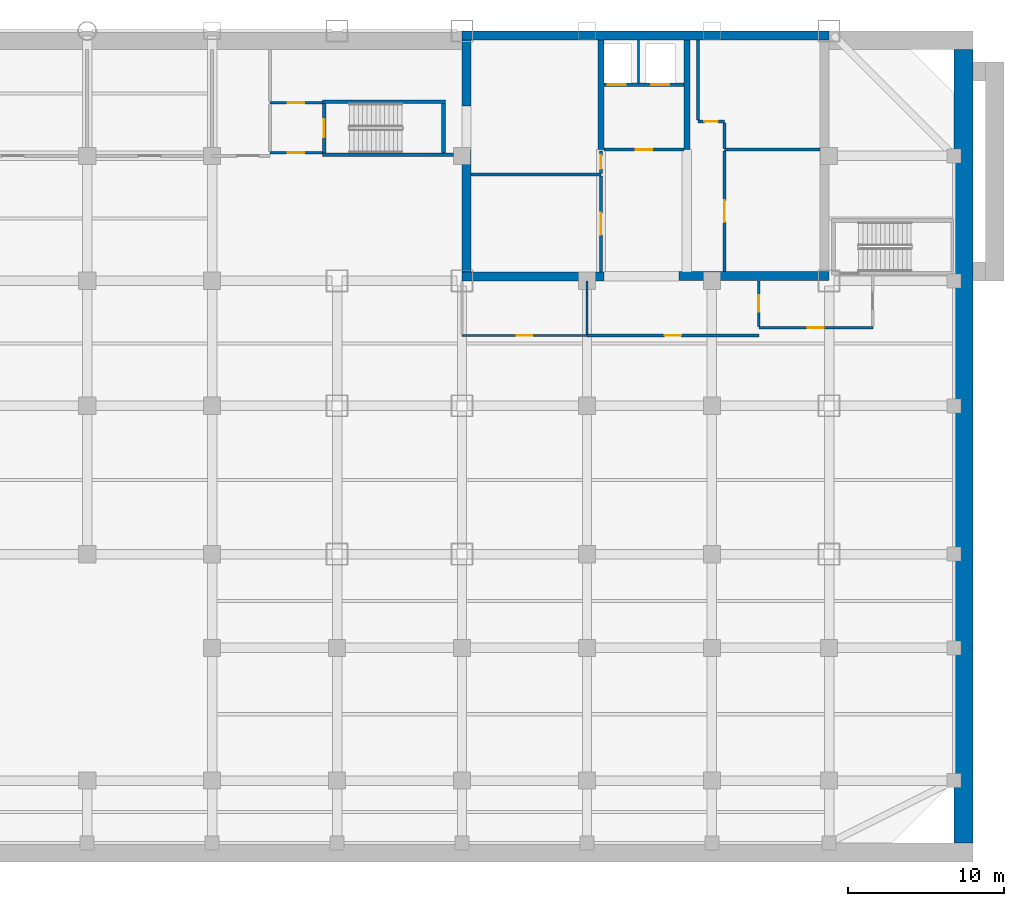
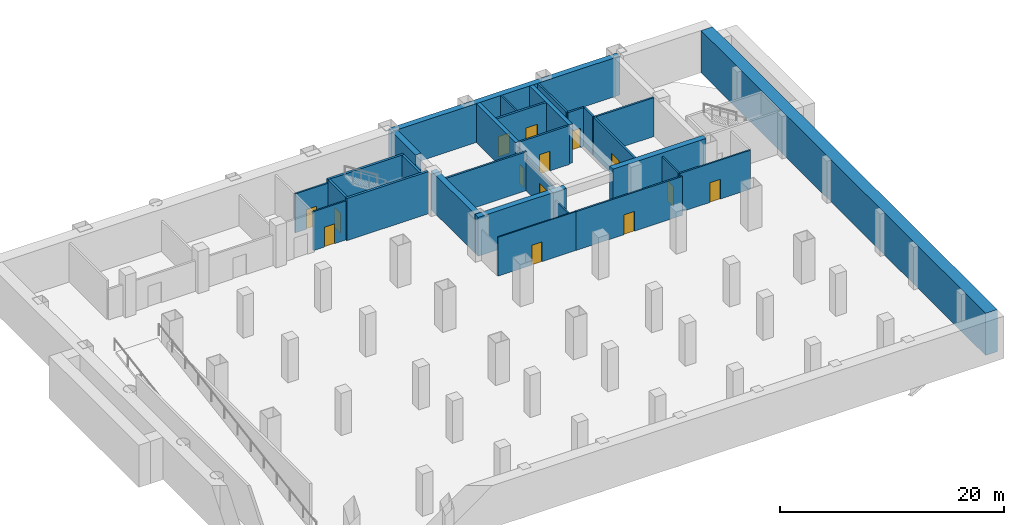
# One storey, part 4 of 8: 30 walls, 14 doors, 14 openings.
"""IFC4 building model written with IfcOpenShell, lengths in metres."""

from ifc_helpers import new_model, si_unit, direction, frame, frame_2d, origin, place, context, subcontext, project, spatial, rectangle, extrude, material, layer, layer_set, type_object, element, fill, save


model = new_model("IFC4")

# Units and contexts
model_context = context("Model", 3, precision=1e-05, world=origin(), true_north=direction((0.0, 1.0)))
body_context = subcontext(model_context, "Body", "Model", "MODEL_VIEW")
ifc_project = project(units=[si_unit("LENGTHUNIT", "METRE"), si_unit("AREAUNIT", "SQUARE_METRE"), si_unit("VOLUMEUNIT", "CUBIC_METRE"), si_unit("PLANEANGLEUNIT", "RADIAN"), si_unit("MASSUNIT", "GRAM", prefix="KILO")], contexts=[model_context])

# Site, building, storey
site_placement = place(None, origin())
site = spatial("IfcSite", under=ifc_project, at=site_placement, CompositionType="ELEMENT")
building_placement = place(site_placement, origin())
building = spatial("IfcBuilding", under=site, at=building_placement, Name="Qianrong Seaharbour Tower", CompositionType="ELEMENT")
storey_placement = place(building_placement, frame((0.0, 0.0, -9.199951171875)))
storey = spatial("IfcBuildingStorey", under=building, at=storey_placement, Name="B02", CompositionType="ELEMENT", Elevation=-9.199951171875)

# Walls
ifc_material_1 = material(Name="Concrete C70/85", Category="concrete")
ifc_layer_1 = layer(ifc_material_1, 0.580078125)
ifc_layer_set_1 = layer_set([ifc_layer_1], Name="Concrete C70/85")
wall_type_1 = type_object("IfcWallType", Name="WALL-CORE-580", PredefinedType="SHEAR", material=ifc_layer_set_1)
wall_1_placement = place(storey_placement, frame((40.5, 51.7099609375, 0.0), z_axis=(0.0, 0.0, 1.0), x_axis=(1.0, 0.0, 0.0)))
element("IfcWall", 1, at=wall_1_placement, inside=storey, type_object=wall_type_1, Name="B02 North Core Shear Wall", PredefinedType="SHEAR", context=body_context, shape_type="SweptSolid", body=[
    extrude(rectangle(XDim=23.5, YDim=0.580078125, at=frame_2d((11.75, 0.0))), origin(), (0.0, 0.0, 1.0), 4.239990234375),
])
wall_2_placement = place(storey_placement, frame((40.7900390625, 36.580078125, 0.0), z_axis=(0.0, 0.0, 1.0), x_axis=(0.0, 1.0, 0.0)))
element("IfcWall", 2, at=wall_2_placement, inside=storey, type_object=wall_type_1, Name="B02 West Core Shear Wall South", PredefinedType="SHEAR", context=body_context, shape_type="SweptSolid", body=[
    extrude(rectangle(XDim=7.81982421875, YDim=0.580078125, at=frame_2d((3.909912109375, 0.0))), origin(), (0.0, 0.0, 1.0), 4.239990234375),
])
wall_3_placement = place(storey_placement, frame((40.7900390625, 47.199951171875, 0.0), z_axis=(0.0, 0.0, 1.0), x_axis=(0.0, 1.0, 0.0)))
element("IfcWall", 3, at=wall_3_placement, inside=storey, type_object=wall_type_1, Name="B02 West Core Shear Wall North", PredefinedType="SHEAR", context=body_context, shape_type="SweptSolid", body=[
    extrude(rectangle(XDim=4.219970703125, YDim=0.580078125, at=frame_2d((2.10986328125, 0.0))), origin(), (0.0, 0.0, 1.0), 4.239990234375),
])
wall_4_placement = place(storey_placement, frame((40.5, 36.2900390625, 0.0), z_axis=(0.0, 0.0, 1.0), x_axis=(1.0, 0.0, 0.0)))
element("IfcWall", 4, at=wall_4_placement, inside=storey, type_object=wall_type_1, Name="B02 South Core Shear Wall S1", PredefinedType="SHEAR", context=body_context, shape_type="SweptSolid", body=[
    extrude(rectangle(XDim=9.10009765625, YDim=0.580078125, at=frame_2d((4.550048828125, 0.0))), origin(), (0.0, 0.0, 1.0), 4.239990234375),
])
wall_5_placement = place(storey_placement, frame((54.39990234375, 36.320068359375, 0.0), z_axis=(0.0, 0.0, 1.0), x_axis=(1.0, 0.0, 0.0)))
element("IfcWall", 5, at=wall_5_placement, inside=storey, type_object=wall_type_1, Name="B02 South Core Shear Wall S3", PredefinedType="SHEAR", context=body_context, shape_type="SweptSolid", body=[
    extrude(rectangle(XDim=9.60009765625, YDim=0.580078125, at=frame_2d((4.800048828125, 0.0))), origin(), (0.0, 0.0, 1.0), 4.599853515625),
])
ifc_material_2 = material(Name="Concrete C60/75", Category="concrete")
ifc_layer_2 = layer(ifc_material_2, 0.3798828125)
ifc_layer_set_2 = layer_set([ifc_layer_2], Name="Concrete C60/75")
wall_type_2 = type_object("IfcWallType", Name="WALL-CORE-INT-380", PredefinedType="SHEAR", material=ifc_layer_set_2)
for number, where, z_axis, x_axis, name in (
    (6, (49.39990234375, 44.39990234375, 0.0), (0.0, 0.0, 1.0), (0.0, 1.0, 0.0), "B02 Internal Core Shear Wall IW1N"),
    (7, (54.89990234375, 44.39990234375, 0.0), (0.0, 0.0, 1.0), (0.0, 1.0, 0.0), "B02 Internal Core Shear Wall IW2N"),
):
    element("IfcWall", number, at=place(storey_placement, frame(where, z_axis=z_axis, x_axis=x_axis)), inside=storey, type_object=wall_type_2, Name=name, PredefinedType="SHEAR", context=body_context, shape_type="SweptSolid", body=[
        extrude(rectangle(XDim=7.02001953125, YDim=0.3798828125, at=frame_2d((3.510009765625, 0.0))), origin(), (0.0, 0.0, 1.0), 4.239990234375),
    ])

# Wall, opening, door
ifc_material_3 = material(Name="Fire-rated acoustic gypsum board partition")
ifc_layer_3 = layer(ifc_material_3, 0.1650390625)
ifc_layer_set_3 = layer_set([ifc_layer_3], Name="Fire-rated acoustic gypsum board partition")
wall_type_3 = type_object("IfcWallType", Name="WALL-CORR-PART-165", PredefinedType="PARTITIONING", material=ifc_layer_set_3)
wall_6_placement = place(storey_placement, frame((31.56005859375, 44.199951171875, 0.0), z_axis=(0.0, 0.0, 1.0), x_axis=(-1.0, 0.0, 0.0)))
wall_6 = element("IfcWall", 8, at=wall_6_placement, inside=storey, type_object=wall_type_3, Name="B02 Interior Partition Wall 011", PredefinedType="PARTITIONING", context=body_context, shape_type="SweptSolid", body=[
    extrude(rectangle(XDim=3.360107421875, YDim=0.1650390625, at=frame_2d((1.68017578125, 0.0))), origin(), (0.0, 0.0, 1.0), 4.239990234375),
])
opening_1_placement = place(wall_6_placement, frame((1.155029296875, 0.0, 0.0)))
opening_1 = element("IfcOpeningElement", 9, at=opening_1_placement, cuts=wall_6, Name="Opening DC-01", PredefinedType="OPENING", context=body_context, shape_type="SweptSolid", body=[
    extrude(rectangle(XDim=1.050048828125, YDim=2.14990234375, at=frame_2d((0.52490234375, 1.074951171875))), frame((0.0, 0.092529296875, 0.0), z_axis=(0.0, -1.0, 0.0), x_axis=(1.0, 0.0, 0.0)), (0.0, 0.0, 1.0), 0.18505859375),
])
ifc_material_4 = material(Name="Acoustic timber and galvanized steel fire door assembly", Category="steel")
door_type_1 = type_object("IfcDoorType", Name="DOOR-CORR-FD60-1050x2150", OperationType="NOTDEFINED", PredefinedType="DOOR", material=ifc_material_4)
door_1_placement = place(opening_1_placement, origin())
door_1 = element("IfcDoor", 10, at=door_1_placement, inside=storey, type_object=door_type_1, Name="B02 Basement Stair Vestibule BST-1 Door", OperationType="SINGLE_SWING_LEFT", OverallHeight=2.14990234375, OverallWidth=1.050048828125, PredefinedType="DOOR", context=body_context, shape_type="SweptSolid", body=[
    extrude(rectangle(XDim=1.050048828125, YDim=2.14990234375, at=frame_2d((0.52490234375, 1.074951171875))), frame((0.0, 0.02490234375, 0.0), z_axis=(0.0, -1.0, 0.0), x_axis=(1.0, 0.0, 0.0)), (0.0, 0.0, 1.0), 0.050048828125),
])
fill(opening_1, door_1)

wall_7_placement = place(storey_placement, frame((28.199951171875, 47.39990234375, 0.0), z_axis=(0.0, 0.0, 1.0), x_axis=(1.0, 0.0, 0.0)))
wall_7 = element("IfcWall", 11, at=wall_7_placement, inside=storey, type_object=wall_type_3, Name="B02 Interior Partition Wall 012", PredefinedType="PARTITIONING", context=body_context, shape_type="SweptSolid", body=[
    extrude(rectangle(XDim=3.360107421875, YDim=0.1650390625, at=frame_2d((1.68017578125, 0.0))), origin(), (0.0, 0.0, 1.0), 4.239990234375),
])
opening_2_placement = place(wall_7_placement, frame((1.155029296875, 0.0, 0.0)))
opening_2 = element("IfcOpeningElement", 12, at=opening_2_placement, cuts=wall_7, Name="Opening DC-01", PredefinedType="OPENING", context=body_context, shape_type="SweptSolid", body=[
    extrude(rectangle(XDim=1.050048828125, YDim=2.14990234375, at=frame_2d((0.52490234375, 1.074951171875))), frame((0.0, 0.092529296875, 0.0), z_axis=(0.0, -1.0, 0.0), x_axis=(1.0, 0.0, 0.0)), (0.0, 0.0, 1.0), 0.18505859375),
])
door_2_placement = place(opening_2_placement, origin())
door_2 = element("IfcDoor", 13, at=door_2_placement, inside=storey, type_object=door_type_1, Name="B02 Basement Stair Vestibule BST-1 Door", OperationType="SINGLE_SWING_RIGHT", OverallHeight=2.14990234375, OverallWidth=1.050048828125, PredefinedType="DOOR", context=body_context, shape_type="SweptSolid", body=[
    extrude(rectangle(XDim=1.050048828125, YDim=2.14990234375, at=frame_2d((0.52490234375, 1.074951171875))), frame((0.0, 0.02490234375, 0.0), z_axis=(0.0, -1.0, 0.0), x_axis=(1.0, 0.0, 0.0)), (0.0, 0.0, 1.0), 0.050048828125),
])
fill(opening_2, door_2)

wall_8_placement = place(storey_placement, frame((59.5, 33.074462890625, 0.0), z_axis=(0.0, 0.0, 1.0), x_axis=(0.0, 1.0, 0.0)))
wall_8 = element("IfcWall", 14, at=wall_8_placement, inside=storey, type_object=wall_type_3, Name="B02 Interior Partition Wall 013", PredefinedType="PARTITIONING", context=body_context, shape_type="SweptSolid", body=[
    extrude(rectangle(XDim=2.925537109375, YDim=0.1650390625, at=frame_2d((1.462890625, 0.0))), origin(), (0.0, 0.0, 1.0), 4.239990234375),
])
opening_3_placement = place(wall_8_placement, frame((0.937744140625, 0.0, 0.0)))
opening_3 = element("IfcOpeningElement", 15, at=opening_3_placement, cuts=wall_8, Name="Opening DC-01", PredefinedType="OPENING", context=body_context, shape_type="SweptSolid", body=[
    extrude(rectangle(XDim=1.050048828125, YDim=2.14990234375, at=frame_2d((0.52490234375, 1.074951171875))), frame((0.0, 0.092529296875, 0.0), z_axis=(0.0, -1.0, 0.0), x_axis=(1.0, 0.0, 0.0)), (0.0, 0.0, 1.0), 0.18505859375),
])
door_3_placement = place(opening_3_placement, origin())
door_3 = element("IfcDoor", 16, at=door_3_placement, inside=storey, type_object=door_type_1, Name="B02 Basement Stair Vestibule BST-2 Door", OperationType="SINGLE_SWING_RIGHT", OverallHeight=2.14990234375, OverallWidth=1.050048828125, PredefinedType="DOOR", context=body_context, shape_type="SweptSolid", body=[
    extrude(rectangle(XDim=1.050048828125, YDim=2.14990234375, at=frame_2d((0.52490234375, 1.074951171875))), frame((0.0, 0.02490234375, 0.0), z_axis=(0.0, -1.0, 0.0), x_axis=(1.0, 0.0, 0.0)), (0.0, 0.0, 1.0), 0.050048828125),
])
fill(opening_3, door_3)

wall_9_placement = place(storey_placement, frame((66.800048828125, 33.0, 0.0), z_axis=(0.0, 0.0, 1.0), x_axis=(-1.0, 0.0, 0.0)))
wall_9 = element("IfcWall", 17, at=wall_9_placement, inside=storey, type_object=wall_type_3, Name="B02 Interior Partition Wall 015", PredefinedType="PARTITIONING", context=body_context, shape_type="SweptSolid", body=[
    extrude(rectangle(XDim=7.300048828125, YDim=0.1650390625, at=frame_2d((3.64990234375, 0.0))), origin(), (0.0, 0.0, 1.0), 4.239990234375),
])
opening_4_placement = place(wall_9_placement, frame((3.125, 0.0, 0.0)))
opening_4 = element("IfcOpeningElement", 18, at=opening_4_placement, cuts=wall_9, Name="Opening DC-01", PredefinedType="OPENING", context=body_context, shape_type="SweptSolid", body=[
    extrude(rectangle(XDim=1.050048828125, YDim=2.14990234375, at=frame_2d((0.52490234375, 1.074951171875))), frame((0.0, 0.092529296875, 0.0), z_axis=(0.0, -1.0, 0.0), x_axis=(1.0, 0.0, 0.0)), (0.0, 0.0, 1.0), 0.18505859375),
])
door_4_placement = place(opening_4_placement, origin())
door_4 = element("IfcDoor", 19, at=door_4_placement, inside=storey, type_object=door_type_1, Name="B02 Basement Stair Vestibule BST-2 Door", OperationType="SINGLE_SWING_LEFT", OverallHeight=2.14990234375, OverallWidth=1.050048828125, PredefinedType="DOOR", context=body_context, shape_type="SweptSolid", body=[
    extrude(rectangle(XDim=1.050048828125, YDim=2.14990234375, at=frame_2d((0.52490234375, 1.074951171875))), frame((0.0, 0.02490234375, 0.0), z_axis=(0.0, -1.0, 0.0), x_axis=(1.0, 0.0, 0.0)), (0.0, 0.0, 1.0), 0.050048828125),
])
fill(opening_4, door_4)

wall_10_placement = place(storey_placement, frame((59.5, 32.5, 0.0), z_axis=(0.0, 0.0, 1.0), x_axis=(-1.0, 0.0, 0.0)))
wall_10 = element("IfcWall", 20, at=wall_10_placement, inside=storey, type_object=wall_type_3, Name="B02 Interior Partition Wall 024", PredefinedType="PARTITIONING", context=body_context, shape_type="SweptSolid", body=[
    extrude(rectangle(XDim=11.0, YDim=0.1650390625, at=frame_2d((5.5, 0.0))), origin(), (0.0, 0.0, 1.0), 4.239990234375),
])
opening_5_placement = place(wall_10_placement, frame((4.97509765625, 0.0, 0.0)))
opening_5 = element("IfcOpeningElement", 21, at=opening_5_placement, cuts=wall_10, Name="Opening DC-01", PredefinedType="OPENING", context=body_context, shape_type="SweptSolid", body=[
    extrude(rectangle(XDim=1.050048828125, YDim=2.14990234375, at=frame_2d((0.52490234375, 1.074951171875))), frame((0.0, 0.092529296875, 0.0), z_axis=(0.0, -1.0, 0.0), x_axis=(1.0, 0.0, 0.0)), (0.0, 0.0, 1.0), 0.18505859375),
])
door_5_placement = place(opening_5_placement, origin())
door_5 = element("IfcDoor", 22, at=door_5_placement, inside=storey, type_object=door_type_1, Name="B02 Car Park Lift Lobby Door", OperationType="SINGLE_SWING_RIGHT", OverallHeight=2.14990234375, OverallWidth=1.050048828125, PredefinedType="DOOR", context=body_context, shape_type="SweptSolid", body=[
    extrude(rectangle(XDim=1.050048828125, YDim=2.14990234375, at=frame_2d((0.52490234375, 1.074951171875))), frame((0.0, 0.02490234375, 0.0), z_axis=(0.0, -1.0, 0.0), x_axis=(1.0, 0.0, 0.0)), (0.0, 0.0, 1.0), 0.050048828125),
])
fill(opening_5, door_5)

# Wall
ifc_material_5 = material(Name="Concrete C50/60", Category="concrete")
ifc_layer_4 = layer(ifc_material_5, 1.199951171875)
ifc_layer_set_4 = layer_set([ifc_layer_4], Name="Concrete C50/60")
wall_type_4 = type_object("IfcWallType", Name="WALL-DW-1200", PredefinedType="USERDEFINED", material=ifc_layer_set_4)
wall_11_placement = place(storey_placement, frame((72.60009765625, 0.0, 0.0), z_axis=(0.0, 0.0, 1.0), x_axis=(0.0, 1.0, 0.0)))
element("IfcWall", 23, at=wall_11_placement, inside=storey, type_object=wall_type_4, Name="B02 East Diaphragm Retaining Wall", ObjectType="DIAPHRAGM WALL", PredefinedType="USERDEFINED", context=body_context, shape_type="SweptSolid", body=[
    extrude(rectangle(XDim=50.800048828125, YDim=1.199951171875, at=frame_2d((25.39990234375, 0.0))), origin(), (0.0, 0.0, 1.0), 4.599853515625),
])

# Wall, opening, door
ifc_material_6 = material(Name="Double fire-rated gypsum board acoustic partition")
ifc_layer_5 = layer(ifc_material_6, 0.18994140625)
ifc_layer_set_5 = layer_set([ifc_layer_5], Name="Double fire-rated gypsum board acoustic partition")
wall_type_5 = type_object("IfcWallType", Name="WALL-FIRE-PART-190", PredefinedType="PARTITIONING", material=ifc_layer_set_5)
wall_12_placement = place(storey_placement, frame((54.718017578125, 44.39990234375, 0.0), z_axis=(0.0, 0.0, 1.0), x_axis=(-1.0, 0.0, 0.0)))
wall_12 = element("IfcWall", 24, at=wall_12_placement, inside=storey, type_object=wall_type_5, Name="B02 Interior Partition Wall 001", PredefinedType="PARTITIONING", context=body_context, shape_type="SweptSolid", body=[
    extrude(rectangle(XDim=5.135986328125, YDim=0.18994140625, at=frame_2d((2.56787109375, 0.0))), origin(), (0.0, 0.0, 1.0), 4.239990234375),
])
opening_6_placement = place(wall_12_placement, frame((2.04296875, 0.0, 0.0)))
opening_6 = element("IfcOpeningElement", 25, at=opening_6_placement, cuts=wall_12, Name="Opening DC-01", PredefinedType="OPENING", context=body_context, shape_type="SweptSolid", body=[
    extrude(rectangle(XDim=1.050048828125, YDim=2.14990234375, at=frame_2d((0.52490234375, 1.074951171875))), frame((0.0, 0.10498046875, 0.0), z_axis=(0.0, -1.0, 0.0), x_axis=(1.0, 0.0, 0.0)), (0.0, 0.0, 1.0), 0.2099609375),
])
door_6_placement = place(opening_6_placement, origin())
door_6 = element("IfcDoor", 26, at=door_6_placement, inside=storey, type_object=door_type_1, Name="B02 Firefighting Lift Lobby Door", OperationType="SINGLE_SWING_RIGHT", OverallHeight=2.14990234375, OverallWidth=1.050048828125, PredefinedType="DOOR", context=body_context, shape_type="SweptSolid", body=[
    extrude(rectangle(XDim=1.050048828125, YDim=2.14990234375, at=frame_2d((0.52490234375, 1.074951171875))), frame((0.0, 0.02490234375, 0.0), z_axis=(0.0, -1.0, 0.0), x_axis=(1.0, 0.0, 0.0)), (0.0, 0.0, 1.0), 0.050048828125),
])
fill(opening_6, door_6)

wall_13_placement = place(storey_placement, frame((49.39990234375, 36.580078125, 0.0), z_axis=(0.0, 0.0, 1.0), x_axis=(0.0, 1.0, 0.0)))
wall_13 = element("IfcWall", 27, at=wall_13_placement, inside=storey, type_object=wall_type_5, Name="B02 Interior Partition Wall 002", PredefinedType="PARTITIONING", context=body_context, shape_type="SweptSolid", body=[
    extrude(rectangle(XDim=6.1328125, YDim=0.18994140625, at=frame_2d((3.06640625, 0.0))), origin(), (0.0, 0.0, 1.0), 3.33203125),
])
opening_7_placement = place(wall_13_placement, frame((2.366455078125, 0.0, 0.0)))
opening_7 = element("IfcOpeningElement", 28, at=opening_7_placement, cuts=wall_13, Name="Opening DP-01", PredefinedType="OPENING", context=body_context, shape_type="SweptSolid", body=[
    extrude(rectangle(XDim=1.39990234375, YDim=2.25, at=frame_2d((0.699951171875, 1.125))), frame((0.0, 0.10498046875, 0.0), z_axis=(0.0, -1.0, 0.0), x_axis=(1.0, 0.0, 0.0)), (0.0, 0.0, 1.0), 0.2099609375),
])
door_type_2 = type_object("IfcDoorType", Name="DOOR-PLANT-PAIR-1400x2250", OperationType="DOUBLE_DOOR_SINGLE_SWING", PredefinedType="DOOR", material=ifc_material_4)
door_7_placement = place(opening_7_placement, origin())
door_7 = element("IfcDoor", 29, at=door_7_placement, inside=storey, type_object=door_type_2, Name="B02 Basement Core Electrical Switch Room Door", OperationType="DOUBLE_DOOR_SINGLE_SWING", OverallHeight=2.25, OverallWidth=1.39990234375, PredefinedType="DOOR", context=body_context, shape_type="SweptSolid", body=[
    extrude(rectangle(XDim=1.39990234375, YDim=2.25, at=frame_2d((0.699951171875, 1.125))), frame((0.0, 0.02490234375, 0.0), z_axis=(0.0, -1.0, 0.0), x_axis=(1.0, 0.0, 0.0)), (0.0, 0.0, 1.0), 0.050048828125),
])
fill(opening_7, door_7)

wall_14_placement = place(storey_placement, frame((49.39990234375, 42.886962890625, 0.0), z_axis=(0.0, 0.0, 1.0), x_axis=(0.0, 1.0, 0.0)))
wall_14 = element("IfcWall", 30, at=wall_14_placement, inside=storey, type_object=wall_type_5, Name="B02 Interior Partition Wall 003", PredefinedType="PARTITIONING", context=body_context, shape_type="SweptSolid", body=[
    extrude(rectangle(XDim=1.426025390625, YDim=0.18994140625, at=frame_2d((0.712890625, 0.0))), origin(), (0.0, 0.0, 1.0), 3.33203125),
])
opening_8_placement = place(wall_14_placement, frame((0.282958984375, 0.0, 0.0)))
opening_8 = element("IfcOpeningElement", 31, at=opening_8_placement, cuts=wall_14, Name="Opening DU-01", PredefinedType="OPENING", context=body_context, shape_type="SweptSolid", body=[
    extrude(rectangle(XDim=0.860107421875, YDim=2.10009765625, at=frame_2d((0.43017578125, 1.050048828125))), frame((0.0, 0.10498046875, 0.0), z_axis=(0.0, -1.0, 0.0), x_axis=(1.0, 0.0, 0.0)), (0.0, 0.0, 1.0), 0.2099609375),
])
door_type_3 = type_object("IfcDoorType", Name="DOOR-UTIL-860x2100", OperationType="NOTDEFINED", PredefinedType="DOOR", material=ifc_material_4)
door_8_placement = place(opening_8_placement, origin())
door_8 = element("IfcDoor", 32, at=door_8_placement, inside=storey, type_object=door_type_3, Name="B02 Basement Telecom Riser Room Door", OperationType="SINGLE_SWING_LEFT", OverallHeight=2.10009765625, OverallWidth=0.860107421875, PredefinedType="DOOR", context=body_context, shape_type="SweptSolid", body=[
    extrude(rectangle(XDim=0.860107421875, YDim=2.10009765625, at=frame_2d((0.43017578125, 1.050048828125))), frame((0.0, 0.02490234375, 0.0), z_axis=(0.0, -1.0, 0.0), x_axis=(1.0, 0.0, 0.0)), (0.0, 0.0, 1.0), 0.050048828125),
])
fill(opening_8, door_8)

wall_15_placement = place(storey_placement, frame((57.300048828125, 44.31298828125, 0.0), z_axis=(0.0, 0.0, 1.0), x_axis=(0.0, -1.0, 0.0)))
wall_15 = element("IfcWall", 33, at=wall_15_placement, inside=storey, type_object=wall_type_5, Name="B02 Interior Partition Wall 004", PredefinedType="PARTITIONING", context=body_context, shape_type="SweptSolid", body=[
    extrude(rectangle(XDim=7.7109375, YDim=0.18994140625, at=frame_2d((3.85546875, 0.0))), origin(), (0.0, 0.0, 1.0), 4.239990234375),
])
opening_9_placement = place(wall_15_placement, frame((3.155517578125, 0.0, 0.0)))
opening_9 = element("IfcOpeningElement", 34, at=opening_9_placement, cuts=wall_15, Name="Opening DP-01", PredefinedType="OPENING", context=body_context, shape_type="SweptSolid", body=[
    extrude(rectangle(XDim=1.39990234375, YDim=2.25, at=frame_2d((0.699951171875, 1.125))), frame((0.0, 0.10498046875, 0.0), z_axis=(0.0, -1.0, 0.0), x_axis=(1.0, 0.0, 0.0)), (0.0, 0.0, 1.0), 0.2099609375),
])
door_9_placement = place(opening_9_placement, origin())
door_9 = element("IfcDoor", 35, at=door_9_placement, inside=storey, type_object=door_type_2, Name="B02 Sprinkler Valve and Riser Room Door", OperationType="DOUBLE_DOOR_SINGLE_SWING", OverallHeight=2.25, OverallWidth=1.39990234375, PredefinedType="DOOR", context=body_context, shape_type="SweptSolid", body=[
    extrude(rectangle(XDim=1.39990234375, YDim=2.25, at=frame_2d((0.699951171875, 1.125))), frame((0.0, 0.02490234375, 0.0), z_axis=(0.0, -1.0, 0.0), x_axis=(1.0, 0.0, 0.0)), (0.0, 0.0, 1.0), 0.050048828125),
])
fill(opening_9, door_9)

wall_16_placement = place(storey_placement, frame((55.60009765625, 46.199951171875, 0.0), z_axis=(0.0, 0.0, 1.0), x_axis=(1.0, 0.0, 0.0)))
wall_16 = element("IfcWall", 36, at=wall_16_placement, inside=storey, type_object=wall_type_5, Name="B02 Interior Partition Wall 005", PredefinedType="PARTITIONING", context=body_context, shape_type="SweptSolid", body=[
    extrude(rectangle(XDim=1.699951171875, YDim=0.18994140625, at=frame_2d((0.85009765625, 0.0))), origin(), (0.0, 0.0, 1.0), 4.239990234375),
])
opening_10_placement = place(wall_16_placement, frame((0.419921875, 0.0, 0.0)))
opening_10 = element("IfcOpeningElement", 37, at=opening_10_placement, cuts=wall_16, Name="Opening DU-01", PredefinedType="OPENING", context=body_context, shape_type="SweptSolid", body=[
    extrude(rectangle(XDim=0.860107421875, YDim=2.10009765625, at=frame_2d((0.43017578125, 1.050048828125))), frame((0.0, 0.10498046875, 0.0), z_axis=(0.0, -1.0, 0.0), x_axis=(1.0, 0.0, 0.0)), (0.0, 0.0, 1.0), 0.2099609375),
])
door_10_placement = place(opening_10_placement, origin())
door_10 = element("IfcDoor", 38, at=door_10_placement, inside=storey, type_object=door_type_3, Name="B02 Smoke Extraction Fan Room Door", OperationType="SINGLE_SWING_RIGHT", OverallHeight=2.10009765625, OverallWidth=0.860107421875, PredefinedType="DOOR", context=body_context, shape_type="SweptSolid", body=[
    extrude(rectangle(XDim=0.860107421875, YDim=2.10009765625, at=frame_2d((0.43017578125, 1.050048828125))), frame((0.0, 0.02490234375, 0.0), z_axis=(0.0, -1.0, 0.0), x_axis=(1.0, 0.0, 0.0)), (0.0, 0.0, 1.0), 0.050048828125),
])
fill(opening_10, door_10)

# Walls
wall_17_placement = place(storey_placement, frame((57.300048828125, 46.113037109375, 0.0), z_axis=(0.0, 0.0, 1.0), x_axis=(0.0, -1.0, 0.0)))
element("IfcWall", 39, at=wall_17_placement, inside=storey, type_object=wall_type_5, Name="B02 Interior Partition Wall 006", PredefinedType="PARTITIONING", context=body_context, shape_type="SweptSolid", body=[
    extrude(rectangle(XDim=1.6259765625, YDim=0.18994140625, at=frame_2d((0.81298828125, 0.0))), origin(), (0.0, 0.0, 1.0), 4.239990234375),
])
wall_18_placement = place(storey_placement, frame((41.080078125, 42.800048828125, 0.0), z_axis=(0.0, 0.0, 1.0), x_axis=(1.0, 0.0, 0.0)))
element("IfcWall", 40, at=wall_18_placement, inside=storey, type_object=wall_type_5, Name="B02 Interior Partition Wall 007", PredefinedType="PARTITIONING", context=body_context, shape_type="SweptSolid", body=[
    extrude(rectangle(XDim=8.31982421875, YDim=0.18994140625, at=frame_2d((4.159912109375, 0.0))), origin(), (0.0, 0.0, 1.0), 4.239990234375),
])
wall_19_placement = place(storey_placement, frame((57.300048828125, 44.39990234375, 0.0), z_axis=(0.0, 0.0, 1.0), x_axis=(1.0, 0.0, 0.0)))
element("IfcWall", 41, at=wall_19_placement, inside=storey, type_object=wall_type_5, Name="B02 Interior Partition Wall 008", PredefinedType="PARTITIONING", context=body_context, shape_type="SweptSolid", body=[
    extrude(rectangle(XDim=6.119873046875, YDim=0.18994140625, at=frame_2d((3.06005859375, 0.0))), origin(), (0.0, 0.0, 1.0), 4.239990234375),
])
wall_20_placement = place(storey_placement, frame((55.60009765625, 46.287109375, 0.0), z_axis=(0.0, 0.0, 1.0), x_axis=(0.0, 1.0, 0.0)))
element("IfcWall", 42, at=wall_20_placement, inside=storey, type_object=wall_type_5, Name="B02 Interior Partition Wall 009", PredefinedType="PARTITIONING", context=body_context, shape_type="SweptSolid", body=[
    extrude(rectangle(XDim=5.1328125, YDim=0.18994140625, at=frame_2d((2.56640625, 0.0))), origin(), (0.0, 0.0, 1.0), 4.239990234375),
])
ifc_material_7 = material(Name="Fire-rated gypsum board on steel studs", Category="steel")
ifc_layer_6 = layer(ifc_material_7, 0.14990234375)
ifc_layer_set_6 = layer_set([ifc_layer_6], Name="Fire-rated gypsum board on steel studs")
wall_type_6 = type_object("IfcWallType", Name="WALL-SHAFT-DIV-150", PredefinedType="PARTITIONING", material=ifc_layer_set_6)
wall_21_placement = place(storey_placement, frame((51.800048828125, 48.669921875, 0.0), z_axis=(0.0, 0.0, 1.0), x_axis=(0.0, 1.0, 0.0)))
element("IfcWall", 43, at=wall_21_placement, inside=storey, type_object=wall_type_6, Name="B02 Firefighting Lift Shaft Divider Wall", PredefinedType="PARTITIONING", context=body_context, shape_type="SweptSolid", body=[
    extrude(rectangle(XDim=2.75, YDim=0.14990234375, at=frame_2d((1.375, 0.0))), origin(), (0.0, 0.0, 1.0), 4.239990234375),
])

# Wall, openings, doors
ifc_layer_7 = layer(ifc_material_7, 0.219970703125)
ifc_layer_set_7 = layer_set([ifc_layer_7], Name="Fire-rated gypsum board on steel studs")
wall_type_7 = type_object("IfcWallType", Name="WALL-SHAFT-GYP220", PredefinedType="PARTITIONING", material=ifc_layer_set_7)
wall_22_placement = place(storey_placement, frame((54.7099609375, 48.550048828125, 0.0), z_axis=(0.0, 0.0, 1.0), x_axis=(-1.0, 0.0, 0.0)))
wall_22 = element("IfcWall", 44, at=wall_22_placement, inside=storey, type_object=wall_type_7, Name="B02 Firefighting Lift Shaft Front Wall", PredefinedType="PARTITIONING", context=body_context, shape_type="SweptSolid", body=[
    extrude(rectangle(XDim=5.119873046875, YDim=0.219970703125, at=frame_2d((2.56005859375, 0.0))), origin(), (0.0, 0.0, 1.0), 4.239990234375),
])
opening_11_placement = place(wall_22_placement, frame((3.735107421875, 0.0, 0.0)))
opening_11 = element("IfcOpeningElement", 45, at=opening_11_placement, cuts=wall_22, Name="Opening LD-01", PredefinedType="OPENING", context=body_context, shape_type="SweptSolid", body=[
    extrude(rectangle(XDim=1.14990234375, YDim=2.199951171875, at=frame_2d((0.574951171875, 1.10009765625))), frame((0.0, 0.1201171875, 0.0), z_axis=(0.0, -1.0, 0.0), x_axis=(1.0, 0.0, 0.0)), (0.0, 0.0, 1.0), 0.239990234375),
])
opening_12_placement = place(wall_22_placement, frame((0.93505859375, 0.0, 0.0)))
opening_12 = element("IfcOpeningElement", 46, at=opening_12_placement, cuts=wall_22, Name="Opening LD-01", PredefinedType="OPENING", context=body_context, shape_type="SweptSolid", body=[
    extrude(rectangle(XDim=1.14990234375, YDim=2.199951171875, at=frame_2d((0.574951171875, 1.10009765625))), frame((0.0, 0.1201171875, 0.0), z_axis=(0.0, -1.0, 0.0), x_axis=(1.0, 0.0, 0.0)), (0.0, 0.0, 1.0), 0.239990234375),
])
ifc_material_8 = material(Name="Stainless steel SUS316L bi-parting lift landing door", Category="steel")
door_type_4 = type_object("IfcDoorType", Name="DOOR-LIFT-FF-1150x2200", OperationType="DOUBLE_DOOR_SLIDING", PredefinedType="DOOR", material=ifc_material_8)
door_11_placement = place(opening_11_placement, origin())
door_11 = element("IfcDoor", 47, at=door_11_placement, inside=storey, type_object=door_type_4, Name="B02 FL-1 Firefighting Lift Landing Door", OperationType="DOUBLE_DOOR_SLIDING", OverallHeight=2.199951171875, OverallWidth=1.14990234375, PredefinedType="DOOR", context=body_context, shape_type="SweptSolid", body=[
    extrude(rectangle(XDim=1.14990234375, YDim=2.199951171875, at=frame_2d((0.574951171875, 1.10009765625))), frame((0.0, 0.02490234375, 0.0), z_axis=(0.0, -1.0, 0.0), x_axis=(1.0, 0.0, 0.0)), (0.0, 0.0, 1.0), 0.050048828125),
])
fill(opening_11, door_11)
door_12_placement = place(opening_12_placement, origin())
door_12 = element("IfcDoor", 48, at=door_12_placement, inside=storey, type_object=door_type_4, Name="B02 FL-2 Firefighting Lift Landing Door", OperationType="DOUBLE_DOOR_SLIDING", OverallHeight=2.199951171875, OverallWidth=1.14990234375, PredefinedType="DOOR", context=body_context, shape_type="SweptSolid", body=[
    extrude(rectangle(XDim=1.14990234375, YDim=2.199951171875, at=frame_2d((0.574951171875, 1.10009765625))), frame((0.0, 0.02490234375, 0.0), z_axis=(0.0, -1.0, 0.0), x_axis=(1.0, 0.0, 0.0)), (0.0, 0.0, 1.0), 0.050048828125),
])
fill(opening_12, door_12)

# Walls
ifc_layer_8 = layer(ifc_material_5, 0.239990234375)
ifc_layer_set_8 = layer_set([ifc_layer_8], Name="Concrete C50/60")
wall_type_8 = type_object("IfcWallType", Name="WALL-SHAFT-RC240", PredefinedType="SOLIDWALL", material=ifc_layer_set_8)
wall_23_placement = place(storey_placement, frame((31.56005859375, 47.469970703125, 0.0), z_axis=(0.0, 0.0, 1.0), x_axis=(1.0, 0.0, 0.0)))
element("IfcWall", 49, at=wall_23_placement, inside=storey, type_object=wall_type_8, Name="B02 BST-1 Structural Stair Core Wall N", PredefinedType="SOLIDWALL", context=body_context, shape_type="SweptSolid", body=[
    extrude(rectangle(XDim=7.8798828125, YDim=0.239990234375, at=frame_2d((3.93994140625, 0.0))), origin(), (0.0, 0.0, 1.0), 4.599853515625),
])
wall_24_placement = place(storey_placement, frame((39.969970703125, 44.080078125, 0.0), z_axis=(0.0, 0.0, 1.0), x_axis=(-1.0, 0.0, 0.0)))
element("IfcWall", 50, at=wall_24_placement, inside=storey, type_object=wall_type_8, Name="B02 BST-1 Structural Stair Core Wall S", PredefinedType="SOLIDWALL", context=body_context, shape_type="SweptSolid", body=[
    extrude(rectangle(XDim=8.409912109375, YDim=0.239990234375, at=frame_2d((4.205078125, 0.0))), origin(), (0.0, 0.0, 1.0), 4.599853515625),
])

# Wall, opening, door
wall_25_placement = place(storey_placement, frame((31.679931640625, 47.35009765625, 0.0), z_axis=(0.0, 0.0, 1.0), x_axis=(0.0, -1.0, 0.0)))
wall_25 = element("IfcWall", 51, at=wall_25_placement, inside=storey, type_object=wall_type_8, Name="B02 BST-1 Structural Stair Core Wall W", PredefinedType="SOLIDWALL", context=body_context, shape_type="SweptSolid", body=[
    extrude(rectangle(XDim=3.150146484375, YDim=0.239990234375, at=frame_2d((1.5751953125, 0.0))), origin(), (0.0, 0.0, 1.0), 4.599853515625),
])
opening_13_placement = place(wall_25_placement, frame((1.0, 0.0, 0.0)))
opening_13 = element("IfcOpeningElement", 52, at=opening_13_placement, cuts=wall_25, Name="Opening SD-01", PredefinedType="OPENING", context=body_context, shape_type="SweptSolid", body=[
    extrude(rectangle(XDim=1.14990234375, YDim=2.199951171875, at=frame_2d((0.574951171875, 1.10009765625))), frame((0.0, 0.1298828125, 0.0), z_axis=(0.0, -1.0, 0.0), x_axis=(1.0, 0.0, 0.0)), (0.0, 0.0, 1.0), 0.260009765625),
])
door_type_5 = type_object("IfcDoorType", Name="DOOR-STAIR-FD60-1150x2200", OperationType="NOTDEFINED", PredefinedType="DOOR", material=ifc_material_4)
door_13_placement = place(opening_13_placement, origin())
door_13 = element("IfcDoor", 53, at=door_13_placement, inside=storey, type_object=door_type_5, Name="B02 BST-1 Protected Stair Door", OperationType="SINGLE_SWING_LEFT", OverallHeight=2.199951171875, OverallWidth=1.14990234375, PredefinedType="DOOR", context=body_context, shape_type="SweptSolid", body=[
    extrude(rectangle(XDim=1.14990234375, YDim=2.199951171875, at=frame_2d((0.574951171875, 1.10009765625))), frame((0.0, 0.02490234375, 0.0), z_axis=(0.0, -1.0, 0.0), x_axis=(1.0, 0.0, 0.0)), (0.0, 0.0, 1.0), 0.050048828125),
])
fill(opening_13, door_13)

# Walls
wall_26_placement = place(storey_placement, frame((39.320068359375, 44.199951171875, 0.0), z_axis=(0.0, 0.0, 1.0), x_axis=(0.0, 1.0, 0.0)))
element("IfcWall", 54, at=wall_26_placement, inside=storey, type_object=wall_type_8, Name="B02 BST-1 Structural Stair Core Wall E", PredefinedType="SOLIDWALL", context=body_context, shape_type="SweptSolid", body=[
    extrude(rectangle(XDim=3.150146484375, YDim=0.239990234375, at=frame_2d((1.5751953125, 0.0))), origin(), (0.0, 0.0, 1.0), 4.599853515625),
])
ifc_material_9 = material(Name="Water-resistant cement board sanitary partition")
ifc_layer_9 = layer(ifc_material_9, 0.1298828125)
ifc_layer_set_9 = layer_set([ifc_layer_9], Name="Water-resistant cement board sanitary partition")
wall_type_9 = type_object("IfcWallType", Name="WALL-WET-PART-130", PredefinedType="PARTITIONING", material=ifc_layer_set_9)
wall_27_placement = place(storey_placement, frame((48.5, 32.574462890625, 0.0), z_axis=(0.0, 0.0, 1.0), x_axis=(0.0, 1.0, 0.0)))
element("IfcWall", 55, at=wall_27_placement, inside=storey, type_object=wall_type_9, Name="B02 Interior Partition Wall 023", PredefinedType="PARTITIONING", context=body_context, shape_type="SweptSolid", body=[
    extrude(rectangle(XDim=3.425537109375, YDim=0.1298828125, at=frame_2d((1.712890625, 0.0))), origin(), (0.0, 0.0, 1.0), 3.33203125),
])

# Wall, opening, door
wall_28_placement = place(storey_placement, frame((48.5, 32.5, 0.0), z_axis=(0.0, 0.0, 1.0), x_axis=(-1.0, 0.0, 0.0)))
wall_28 = element("IfcWall", 56, at=wall_28_placement, inside=storey, type_object=wall_type_9, Name="B02 Interior Partition Wall 025", PredefinedType="PARTITIONING", context=body_context, shape_type="SweptSolid", body=[
    extrude(rectangle(XDim=8.0, YDim=0.1298828125, at=frame_2d((4.0, 0.0))), origin(), (0.0, 0.0, 1.0), 4.239990234375),
])
opening_14_placement = place(wall_28_placement, frame((3.489990234375, 0.0, 0.0)))
opening_14 = element("IfcOpeningElement", 57, at=opening_14_placement, cuts=wall_28, Name="Opening DAW-01", PredefinedType="OPENING", context=body_context, shape_type="SweptSolid", body=[
    extrude(rectangle(XDim=1.02001953125, YDim=2.14990234375, at=frame_2d((0.510009765625, 1.074951171875))), frame((0.0, 0.074951171875, 0.0), z_axis=(0.0, -1.0, 0.0), x_axis=(1.0, 0.0, 0.0)), (0.0, 0.0, 1.0), 0.14990234375),
])
door_type_6 = type_object("IfcDoorType", Name="DOOR-AWC-SLIDE-1020x2150", OperationType="SLIDING_TO_LEFT", PredefinedType="DOOR", material=ifc_material_4)
door_14_placement = place(opening_14_placement, origin())
door_14 = element("IfcDoor", 58, at=door_14_placement, inside=storey, type_object=door_type_6, Name="B02 Basement Accessible Restroom WC Door", OperationType="SLIDING_TO_LEFT", OverallHeight=2.14990234375, OverallWidth=1.02001953125, PredefinedType="DOOR", context=body_context, shape_type="SweptSolid", body=[
    extrude(rectangle(XDim=1.02001953125, YDim=2.14990234375, at=frame_2d((0.510009765625, 1.074951171875))), frame((0.0, 0.02490234375, 0.0), z_axis=(0.0, -1.0, 0.0), x_axis=(1.0, 0.0, 0.0)), (0.0, 0.0, 1.0), 0.050048828125),
])
fill(opening_14, door_14)

save(model, "model.ifc")
